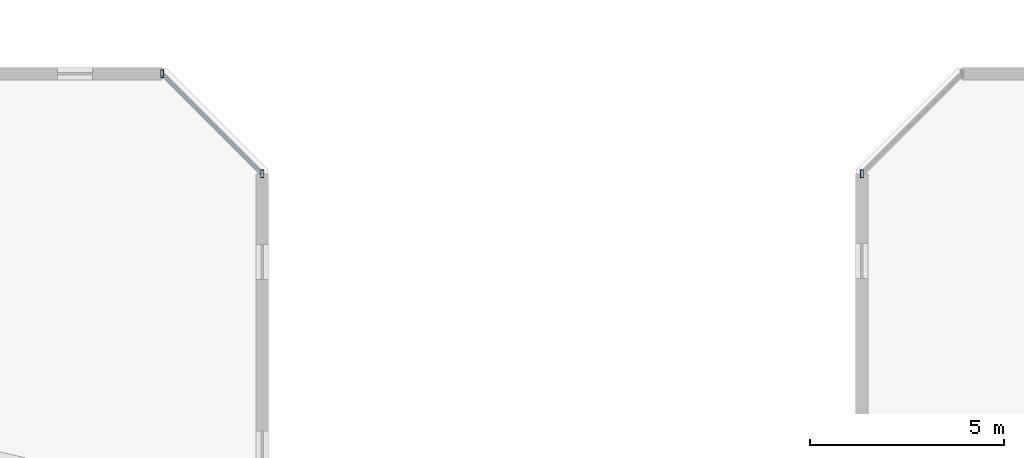
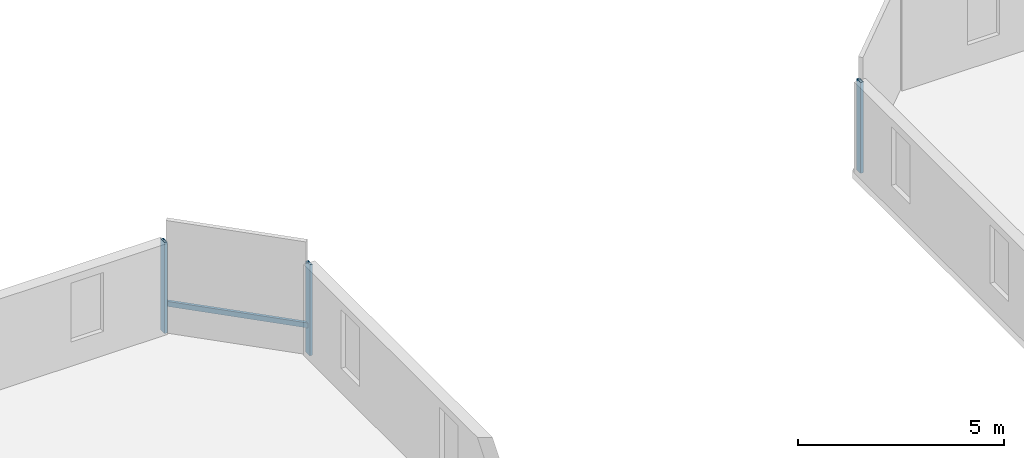
# One storey, part 10 of 32: 4 members, 2 elements without a shape of their own.
"""IFC4 building model written with IfcOpenShell, lengths in metres."""

from ifc_helpers import new_model, si_unit, direction, frame, origin, origin_2d, place, context, subcontext, project, spatial, hollow_rectangle, extrude, material, material_profile, profile_set, type_object, element, aggregate, save


model = new_model("IFC4")

# Units and contexts
model_context = context("Model", 3, precision=1e-05, world=origin(), true_north=direction((0.0, 1.0)))
body_context = subcontext(model_context, "Body", "Model", "MODEL_VIEW")
ifc_project = project(units=[si_unit("LENGTHUNIT", "METRE"), si_unit("AREAUNIT", "SQUARE_METRE"), si_unit("VOLUMEUNIT", "CUBIC_METRE"), si_unit("PLANEANGLEUNIT", "RADIAN"), si_unit("MASSUNIT", "GRAM", prefix="KILO")], contexts=[model_context])

# Site, building, storey
site_placement = place(None, origin())
site = spatial("IfcSite", under=ifc_project, at=site_placement, CompositionType="ELEMENT")
building_placement = place(site_placement, origin())
building = spatial("IfcBuilding", under=site, at=building_placement, Name="Thornwick Lancets Civic Towers", CompositionType="ELEMENT")
storey_placement = place(building_placement, frame((0.0, 0.0, 182.10009765625)))
storey = spatial("IfcBuildingStorey", under=building, at=storey_placement, Name="L48", CompositionType="ELEMENT", Elevation=182.10009765625)

# Curtain wall, members
ifc_material_1 = material(Name="Mid-zone chamfered-corner unitised glass curtain wall", Category="glass")
curtain_wall_type = type_object("IfcCurtainWallType", Name="CW_SYS_04", PredefinedType="NOTDEFINED", material=ifc_material_1)
curtain_wall_1_placement = place(storey_placement, origin())
curtain_wall_1 = element("IfcCurtainWall", 1, at=curtain_wall_1_placement, inside=storey, type_object=curtain_wall_type, Name="L48 Curtain Wall CW-L48-A-E3", PredefinedType="NOTDEFINED")
ifc_material_2 = material(Name="Thermally broken bronze aluminium S355", Category="steel")
ifc_material_profile_1 = material_profile(ifc_material_2, hollow_rectangle(XDim=0.080078125, YDim=0.199951171875, WallThickness=0.006103515625, at=origin_2d()), Name="RHS 200x80x6")
ifc_profile_set_1 = profile_set([ifc_material_profile_1], Name="Thermally broken bronze aluminium S355")
member_type_1 = type_object("IfcMemberType", Name="CW_MUL_200", PredefinedType="MULLION", material=ifc_profile_set_1)
member_1_placement = place(storey_placement, frame((49.2646484375, 48.181396484375, 0.0), z_axis=(0.0, 0.0, 1.0), x_axis=(1.0, 0.0, 0.0)))
member_1 = element("IfcMember", 2, at=member_1_placement, type_object=member_type_1, Name="CW-L48-A-E3 Mullion 0", PredefinedType="MULLION", context=body_context, shape_type="SweptSolid", body=[
    extrude(hollow_rectangle(XDim=0.080078125, YDim=0.199951171875, WallThickness=0.006103515625, at=origin_2d()), origin(), (0.0, 0.0, 1.0), 2.699951171875),
])
member_2_placement = place(storey_placement, frame((46.681396484375, 50.7646484375, 0.0), z_axis=(0.0, 0.0, 1.0), x_axis=(1.0, 0.0, 0.0)))
member_2 = element("IfcMember", 3, at=member_2_placement, type_object=member_type_1, Name="CW-L48-A-E3 Mullion 1", PredefinedType="MULLION", context=body_context, shape_type="SweptSolid", body=[
    extrude(hollow_rectangle(XDim=0.080078125, YDim=0.199951171875, WallThickness=0.006103515625, at=origin_2d()), origin(), (0.0, 0.0, 1.0), 2.699951171875),
])

# Curtain wall, member
curtain_wall_2_placement = place(storey_placement, origin())
curtain_wall_2 = element("IfcCurtainWall", 4, at=curtain_wall_2_placement, inside=storey, type_object=curtain_wall_type, Name="L48 Curtain Wall CW-L48-B-E5", PredefinedType="NOTDEFINED")
member_3_placement = place(storey_placement, frame((64.7353515625, 48.181396484375, 0.0), z_axis=(0.0, 0.0, 1.0), x_axis=(1.0, 0.0, 0.0)))
member_3 = element("IfcMember", 5, at=member_3_placement, type_object=member_type_1, Name="CW-L48-B-E5 Mullion 1", PredefinedType="MULLION", context=body_context, shape_type="SweptSolid", body=[
    extrude(hollow_rectangle(XDim=0.080078125, YDim=0.199951171875, WallThickness=0.006103515625, at=origin_2d()), origin(), (0.0, 0.0, 1.0), 2.699951171875),
])
aggregate(curtain_wall_2, [member_3])

# Member
ifc_material_profile_2 = material_profile(ifc_material_2, hollow_rectangle(XDim=0.074951171875, YDim=0.14990234375, WallThickness=0.0048828125, at=origin_2d()), Name="RHS 150x75x5")
ifc_profile_set_2 = profile_set([ifc_material_profile_2], Name="Thermally broken bronze aluminium S355")
member_type_2 = type_object("IfcMemberType", Name="CW_TRN_150", PredefinedType="USERDEFINED", material=ifc_profile_set_2)
member_4_placement = place(storey_placement, frame((49.25048828125, 48.195556640625, 0.849853515625), z_axis=(-0.707106781187, 0.707106781187, 0.0), x_axis=(-0.707106781187, -0.707106781187, 0.0)))
member_4 = element("IfcMember", 6, at=member_4_placement, type_object=member_type_2, Name="CW-L48-A-E3 Transom 0", ObjectType="TRANSOM", PredefinedType="USERDEFINED", context=body_context, shape_type="SweptSolid", body=[
    extrude(hollow_rectangle(XDim=0.074951171875, YDim=0.14990234375, WallThickness=0.0048828125, at=origin_2d()), origin(), (0.0, 0.0, 1.0), 3.61328125),
])

aggregate(curtain_wall_1, [member_1, member_2, member_4])

save(model, "model.ifc")
